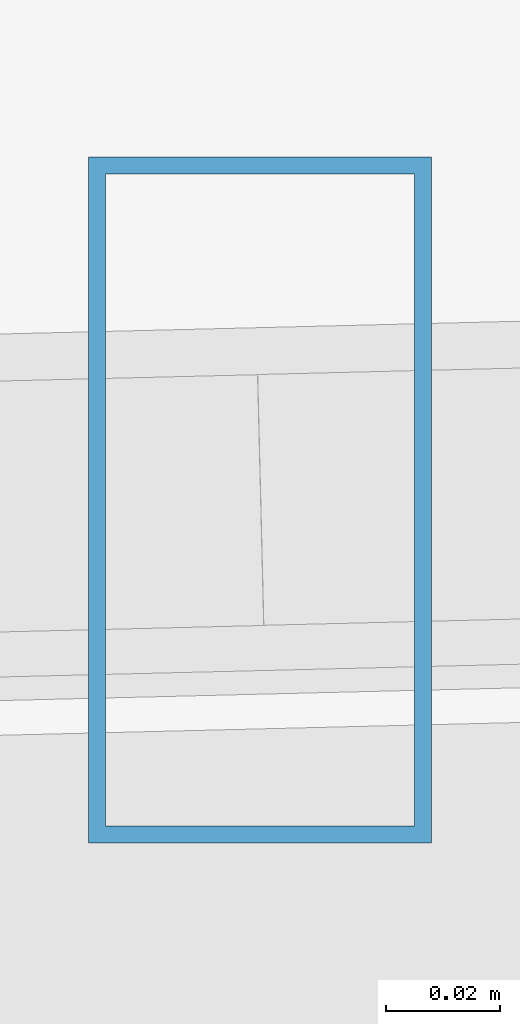
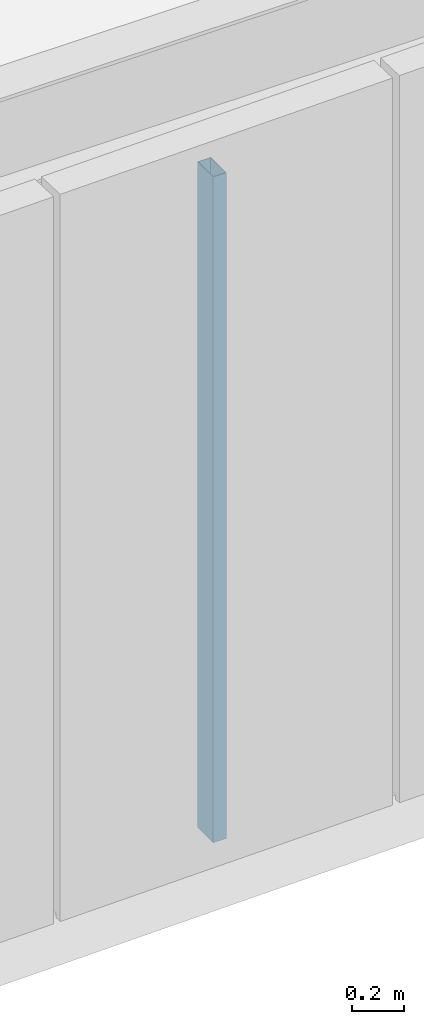
# One storey, part 21 of 47: 1 member, 1 element without a shape of its own.
"""IFC4 building model written with IfcOpenShell, lengths in metres."""

import ifcopenshell
import ifcopenshell.guid

model = None  # the IFC model being written
_history = None  # IfcOwnerHistory: only IFC2X3 demands one
_inside = {}  # id of a spatial element -> (the spatial element, [elements in it])
_under = {}  # id of a project, library or spatial element -> (it, [spatial elements below it])
_declared = {}  # id of a project -> (the project, [libraries it declares])
_typed = {}  # id of a type object -> (the type object, [elements of that type])
_made_of = {}  # id of a material, layer set ... -> (it, [elements and type objects made of it])


def new_model(schema):
    """Start an empty IFC model of exactly this schema.

    Asked for "IFC4X3", IfcOpenShell would pick the latest addendum, in which some entities
    have other attributes; the version numbers below select the first issue.
    IFC2X3 requires an IfcOwnerHistory on every rooted entity: one is made here for all.
    """
    global model, _history
    if schema == "IFC4X3":
        model = ifcopenshell.file(schema_version=(4, 3, 0, 0))
    else:
        model = ifcopenshell.file(schema=schema)
    _inside.clear()
    _under.clear()
    _declared.clear()
    _typed.clear()
    _made_of.clear()
    _history = None
    if model.schema == "IFC2X3":
        org = make("IfcOrganization", Name="unknown")
        user = make(
            "IfcPersonAndOrganization",
            ThePerson=make("IfcPerson", FamilyName="unknown"),
            TheOrganization=org,
        )
        app = make(
            "IfcApplication",
            ApplicationDeveloper=org,
            Version="unknown",
            ApplicationFullName="unknown",
            ApplicationIdentifier="unknown",
        )
        _history = make(
            "IfcOwnerHistory",
            OwningUser=user,
            OwningApplication=app,
            ChangeAction="ADDED",
            CreationDate=0,
        )
    return model


def make(cls, **values):
    """One entity of the class cls with the attributes given. An attribute that is None is left unset."""
    return model.create_entity(
        cls, **{name: value for name, value in values.items() if value is not None}
    )


def rooted(cls, **values):
    """An entity with a GlobalId (a new one), such as an element, a storey or a relation."""
    return make(cls, GlobalId=ifcopenshell.guid.new(), OwnerHistory=_history, **values)


def si_unit(unit_type, name, prefix=None):
    """IfcSIUnit, for example si_unit("LENGTHUNIT", "METRE", prefix="MILLI")."""
    return make("IfcSIUnit", UnitType=unit_type, Prefix=prefix, Name=name)


def assignment(units):
    """IfcUnitAssignment: the units of a project."""
    return None if units is None else make("IfcUnitAssignment", Units=units)


def point(xyz):
    """IfcCartesianPoint."""
    return None if xyz is None else make("IfcCartesianPoint", Coordinates=xyz)


def direction(xyz):
    """IfcDirection."""
    return None if xyz is None else make("IfcDirection", DirectionRatios=xyz)


def frame(location, z_axis=None, x_axis=None):
    """IfcAxis2Placement3D, a coordinate frame: its origin and axes. An axis left out is left unset."""
    return make(
        "IfcAxis2Placement3D",
        Location=point(location),
        Axis=direction(z_axis),
        RefDirection=direction(x_axis),
    )


def frame_2d(location, x_axis=None):
    """IfcAxis2Placement2D, a coordinate frame in the plane: its origin and x axis."""
    return make(
        "IfcAxis2Placement2D", Location=point(location), RefDirection=direction(x_axis)
    )


def origin():
    """The frame at (0, 0, 0) with its axes left unset."""
    return frame((0.0, 0.0, 0.0))


def origin_2d():
    """The frame at (0, 0) in the plane with its x axis left unset."""
    return frame_2d((0.0, 0.0))


def place(relative_to, where):
    """IfcLocalPlacement: puts the frame where relative to a parent placement (None: the world)."""
    return make(
        "IfcLocalPlacement", PlacementRelTo=relative_to, RelativePlacement=where
    )


def context(
    kind, dimensions, precision=None, world=None, true_north=None, identifier=None
):
    """IfcGeometricRepresentationContext, for example the 3D "Model" context."""
    return make(
        "IfcGeometricRepresentationContext",
        ContextIdentifier=identifier,
        ContextType=kind,
        CoordinateSpaceDimension=dimensions,
        Precision=precision,
        WorldCoordinateSystem=world,
        TrueNorth=true_north,
    )


def subcontext(parent, identifier, kind, view, scale=None):
    """IfcGeometricRepresentationSubContext, for example "Body" below "Model"."""
    return make(
        "IfcGeometricRepresentationSubContext",
        ContextIdentifier=identifier,
        ContextType=kind,
        ParentContext=parent,
        TargetScale=scale,
        TargetView=view,
    )


def project(units=None, contexts=None):
    """IfcProject with its units and contexts."""
    return rooted(
        "IfcProject",
        Name="project",
        RepresentationContexts=contexts,
        UnitsInContext=assignment(units),
    )


def spatial(cls, under=None, at=None, **own):
    """A site, building, storey or space (cls), placed at a placement, below another one or the project."""
    s = rooted(cls, ObjectPlacement=at, **own)
    if under is not None:
        _under.setdefault(under.id(), (under, []))[1].append(s)
    return s


def profile(cls, at=None, kind="AREA", **sizes):
    """A parametric profile (cls). Its sizes go by their IFC names, for example OverallWidth=200.0."""
    return make(cls, ProfileType=kind, Position=at, **sizes)


def hollow_rectangle(**sizes):
    """IfcRectangleHollowProfileDef."""
    return profile("IfcRectangleHollowProfileDef", **sizes)


def extrude(swept, where, along, depth):
    """IfcExtrudedAreaSolid: the profile swept, set in the frame where, extruded along a direction by depth."""
    return make(
        "IfcExtrudedAreaSolid",
        SweptArea=swept,
        Position=where,
        ExtrudedDirection=direction(along),
        Depth=depth,
    )


def shape(context_of_items, identifier, shape_type, items):
    """IfcShapeRepresentation: the items that make up one representation, for example the "Body"."""
    return make(
        "IfcShapeRepresentation",
        ContextOfItems=context_of_items,
        RepresentationIdentifier=identifier,
        RepresentationType=shape_type,
        Items=items,
    )


def source(mapping_origin, context_of_items, identifier, shape_type, items):
    """IfcRepresentationMap: a shape defined once, which mapped items show again and again."""
    return make(
        "IfcRepresentationMap",
        MappingOrigin=mapping_origin,
        MappedRepresentation=shape(context_of_items, identifier, shape_type, items),
    )


def transform(
    local_origin,
    x_axis=None,
    y_axis=None,
    z_axis=None,
    scale=None,
    scale2=None,
    scale3=None,
    uniform=True,
):
    """IfcCartesianTransformationOperator3D, or its non-uniform kind. x_axis, y_axis, z_axis: its Axis1, 2, 3."""
    if uniform:
        return make(
            "IfcCartesianTransformationOperator3D",
            Axis1=direction(x_axis),
            Axis2=direction(y_axis),
            LocalOrigin=point(local_origin),
            Scale=scale,
            Axis3=direction(z_axis),
        )
    return make(
        "IfcCartesianTransformationOperator3DnonUniform",
        Axis1=direction(x_axis),
        Axis2=direction(y_axis),
        LocalOrigin=point(local_origin),
        Scale=scale,
        Axis3=direction(z_axis),
        Scale2=scale2,
        Scale3=scale3,
    )


def mapped(mapping_source, mapping_target):
    """IfcMappedItem: shows the shape of a source again, moved by a transform."""
    return make(
        "IfcMappedItem", MappingSource=mapping_source, MappingTarget=mapping_target
    )


def material(Name=None, Category=None):
    """IfcMaterial."""
    return make("IfcMaterial", Name=Name, Category=Category)


def material_profile(
    of_material, cross_section, Name=None, Category=None, Priority=None
):
    """IfcMaterialProfile: a cross section and its material."""
    return make(
        "IfcMaterialProfile",
        Name=Name,
        Material=of_material,
        Profile=cross_section,
        Priority=Priority,
        Category=Category,
    )


def profile_set(profiles, Name=None, composite=None):
    """IfcMaterialProfileSet."""
    return make(
        "IfcMaterialProfileSet",
        Name=Name,
        MaterialProfiles=profiles,
        CompositeProfile=composite,
    )


def made_of(thing, what):
    """Note that an element or type object is made of a material, layer set ...; save() writes the relation."""
    if what is not None:
        _made_of.setdefault(what.id(), (what, []))[1].append(thing)
    return thing


def type_object(cls, material=None, **own):
    """A type object (cls), such as IfcWallType, which elements share."""
    return made_of(rooted(cls, **own), material)


def type_shapes(of_type, sources):
    """Give a type object the sources (RepresentationMaps) that its elements show as mapped items."""
    of_type.RepresentationMaps = sources


def element(
    cls,
    number,
    at=None,
    inside=None,
    cuts=None,
    type_object=None,
    material=None,
    context=None,
    identifier="Body",
    shape_type=None,
    held_by="IfcProductDefinitionShape",
    body=None,
    shapes=None,
    **own,
):
    """One element of the class cls, such as IfcWall. Its Tag is "e" and its number.

    at: its placement. inside: the storey or other place that contains it. cuts: it is an
    opening in that element (IfcRelVoidsElement). A single representation is given by context,
    identifier, shape_type and body (its items); several are given by shapes. held_by: the class
    of the entity that holds the representations. save() writes the other relations.
    """
    e = rooted(cls, Tag="e%d" % number, ObjectPlacement=at, **own)
    if body is not None:
        shapes = [shape(context, identifier, shape_type, body)]
    if shapes is not None:
        e.Representation = make(held_by, Representations=shapes)
    if inside is not None:
        _inside.setdefault(inside.id(), (inside, []))[1].append(e)
    if cuts is not None:
        rooted(
            "IfcRelVoidsElement", RelatingBuildingElement=cuts, RelatedOpeningElement=e
        )
    if type_object is not None:
        _typed.setdefault(type_object.id(), (type_object, []))[1].append(e)
    return made_of(e, material)


def aggregate(whole, parts):
    """IfcRelAggregates: a whole, such as a stair, and the parts it consists of."""
    return rooted("IfcRelAggregates", RelatingObject=whole, RelatedObjects=parts)


def save(model, path):
    """Write the relations noted so far, then the file.

    IfcRelAggregates (storeys below a building ...), IfcRelContainedInSpatialStructure (elements
    in a storey), IfcRelDefinesByType, IfcRelAssociatesMaterial and IfcRelDeclares: one each for
    every whole, place, type object, material and project.
    """
    for whole, parts in _under.values():
        aggregate(whole, parts)
    for where, things in _inside.values():
        rooted(
            "IfcRelContainedInSpatialStructure",
            RelatedElements=things,
            RelatingStructure=where,
        )
    for kind, things in _typed.values():
        rooted("IfcRelDefinesByType", RelatedObjects=things, RelatingType=kind)
    for what, things in _made_of.values():
        rooted("IfcRelAssociatesMaterial", RelatedObjects=things, RelatingMaterial=what)
    for by, libraries in _declared.values():
        rooted("IfcRelDeclares", RelatingContext=by, RelatedDefinitions=libraries)
    model.write(path)


model = new_model("IFC4")

# Units and contexts
model_context = context("Model", 3, precision=1e-05, world=origin(), true_north=direction((0.0, 1.0)))
body_context = subcontext(model_context, "Body", "Model", "MODEL_VIEW")
ifc_project = project(units=[si_unit("LENGTHUNIT", "METRE"), si_unit("AREAUNIT", "SQUARE_METRE"), si_unit("VOLUMEUNIT", "CUBIC_METRE"), si_unit("PLANEANGLEUNIT", "RADIAN"), si_unit("MASSUNIT", "GRAM", prefix="KILO")], contexts=[model_context])

# Site, building, storey
site_placement = place(None, origin())
site = spatial("IfcSite", under=ifc_project, at=site_placement, CompositionType="ELEMENT")
building_placement = place(site_placement, origin())
building = spatial("IfcBuilding", under=site, at=building_placement, Name="Caelisora Broadcast Tower", CompositionType="ELEMENT")
storey_placement = place(building_placement, frame((0.0, 0.0, 293.199951171875)))
storey = spatial("IfcBuildingStorey", under=building, at=storey_placement, Name="L77", CompositionType="ELEMENT", Elevation=293.199951171875)

# Curtain wall, member
ifc_material_1 = material(Name="Unitised Aluminium Insulated Shadow-Box Spandrel Curtain Wall", Category="aluminium")
curtain_wall_type = type_object("IfcCurtainWallType", Name="CW-SP3", PredefinedType="NOTDEFINED", material=ifc_material_1)
curtain_wall_placement = place(storey_placement, origin())
curtain_wall = element("IfcCurtainWall", 1, at=curtain_wall_placement, inside=storey, type_object=curtain_wall_type, Name="L77 curtain wall CW-SP3", PredefinedType="NOTDEFINED")
ifc_material_2 = material(Name="Aluminium 6063-T6 Anodised Terracotta Bronze", Category="aluminium")
ifc_material_profile = material_profile(ifc_material_2, hollow_rectangle(XDim=0.06005859375, YDim=0.1201171875, WallThickness=0.0029296875, at=origin_2d()), Name="Aluminium 6063-T6 Anodised Terracotta Bronze")
ifc_profile_set = profile_set([ifc_material_profile], Name="Aluminium 6063-T6 Anodised Terracotta Bronze")
member_type = type_object("IfcMemberType", Name="CWM-04", PredefinedType="MULLION", material=ifc_profile_set)
shared_shape = source(origin(), body_context, "Body", "SweptSolid", [
    extrude(hollow_rectangle(XDim=0.06005859375, YDim=0.1201171875, WallThickness=0.0029296875, at=origin_2d()), origin(), (0.0, 0.0, 1.0), 3.150146484375),
])
type_shapes(member_type, [shared_shape])
member_placement = place(storey_placement, frame((49.88720703125, 9.221923828125, 0.0), z_axis=(0.0, 0.0, 1.0), x_axis=(1.0, 0.0, 0.0)))
member = element("IfcMember", 2, at=member_placement, type_object=member_type, Name="L77-CW-B05 mullion #2", PredefinedType="MULLION", context=body_context, shape_type="MappedRepresentation", body=[
    mapped(shared_shape, transform((0.0, 0.0, 0.0), scale=1.0)),
])
aggregate(curtain_wall, [member])

save(model, "model.ifc")
